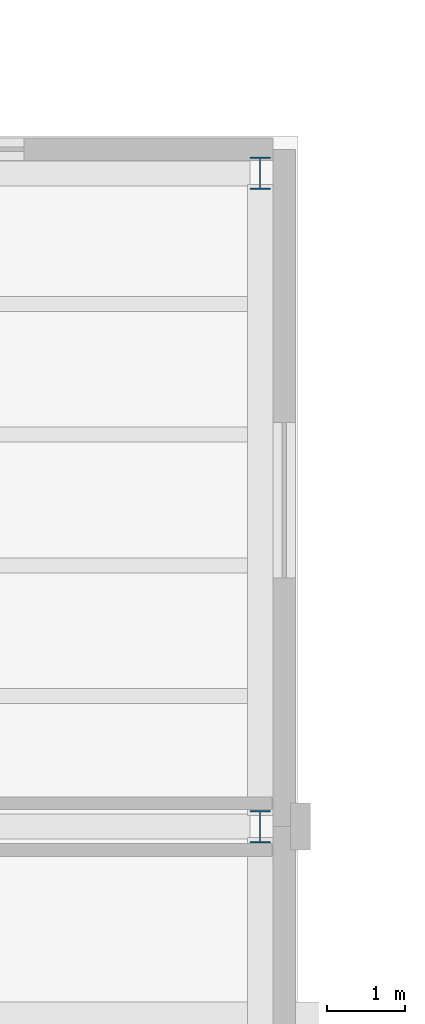
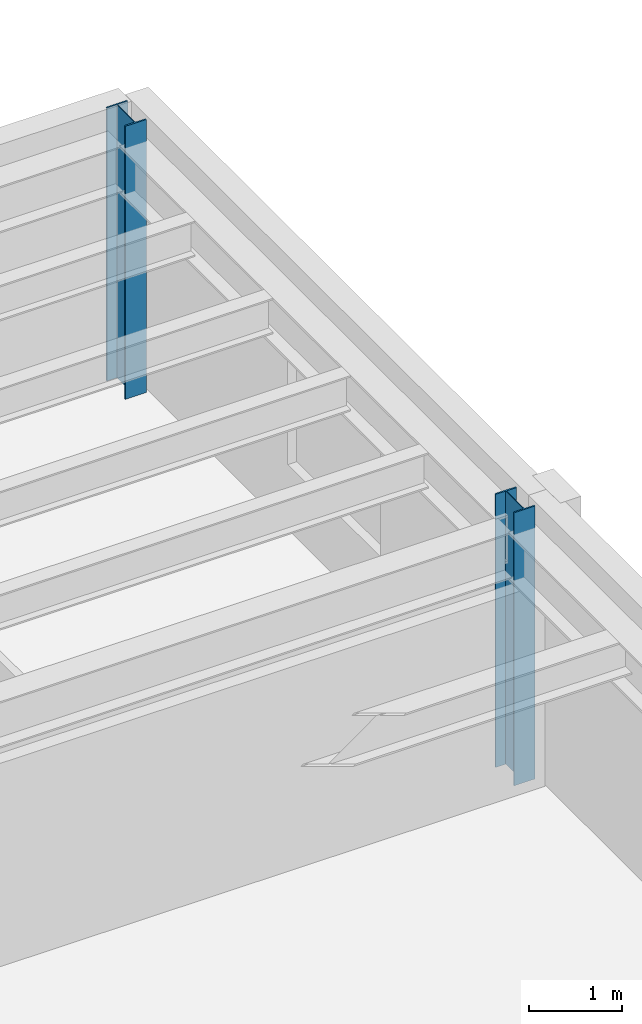
# One storey, part 6 of 27: 2 columns.
"""IFC4 building model written with IfcOpenShell, lengths in metres."""

from ifc_helpers import new_model, si_unit, direction, frame, origin, origin_2d, place, context, subcontext, project, spatial, i_section, extrude, material, material_profile, profile_set, type_object, element, save


model = new_model("IFC4")

# Units and contexts
model_context = context("Model", 3, precision=1e-05, world=origin(), true_north=direction((0.0, 1.0)))
body_context = subcontext(model_context, "Body", "Model", "MODEL_VIEW")
ifc_project = project(units=[si_unit("LENGTHUNIT", "METRE"), si_unit("AREAUNIT", "SQUARE_METRE"), si_unit("VOLUMEUNIT", "CUBIC_METRE"), si_unit("PLANEANGLEUNIT", "RADIAN"), si_unit("MASSUNIT", "GRAM", prefix="KILO")], contexts=[model_context])

# Site, building, storey
site_placement = place(None, origin())
site = spatial("IfcSite", under=ifc_project, at=site_placement, CompositionType="ELEMENT")
building_placement = place(site_placement, origin())
building = spatial("IfcBuilding", under=site, at=building_placement, Name="Sollismere Congress Hotel", CompositionType="ELEMENT")
storey_placement = place(building_placement, frame((0.0, 0.0, 27.0)))
storey = spatial("IfcBuildingStorey", under=building, at=storey_placement, Name="L06", CompositionType="ELEMENT", Elevation=27.0)

# Columns
ifc_material = material(Name="Steel ASTM A992 Grade 50", Category="steel")
ifc_material_profile = material_profile(ifc_material, i_section(OverallWidth=0.261962890625, OverallDepth=0.4189453125, WebThickness=0.01171875, FlangeThickness=0.019287109375, at=origin_2d()), Name="W16X77")
ifc_profile_set = profile_set([ifc_material_profile], Name="Steel ASTM A992 Grade 50")
column_type = type_object("IfcColumnType", Name="COL-W16", PredefinedType="COLUMN", material=ifc_profile_set)
for number, where, z_axis, x_axis, name in (
    (1, (166.0, 58.39990234375, 0.0), (0.0, 0.0, 1.0), (1.0, 0.0, 0.0), "Column CL-L06-1041"),
    (2, (166.0, 66.800048828125, 0.0), (0.0, 0.0, 1.0), (1.0, 0.0, 0.0), "Column CL-L06-1050"),
):
    element("IfcColumn", number, at=place(storey_placement, frame(where, z_axis=z_axis, x_axis=x_axis)), inside=storey, type_object=column_type, Name=name, PredefinedType="COLUMN", context=body_context, shape_type="SweptSolid", body=[
        extrude(i_section(OverallWidth=0.261962890625, OverallDepth=0.4189453125, WebThickness=0.01171875, FlangeThickness=0.019287109375, at=origin_2d()), origin(), (0.0, 0.0, 1.0), 3.60009765625),
    ])

save(model, "model.ifc")
